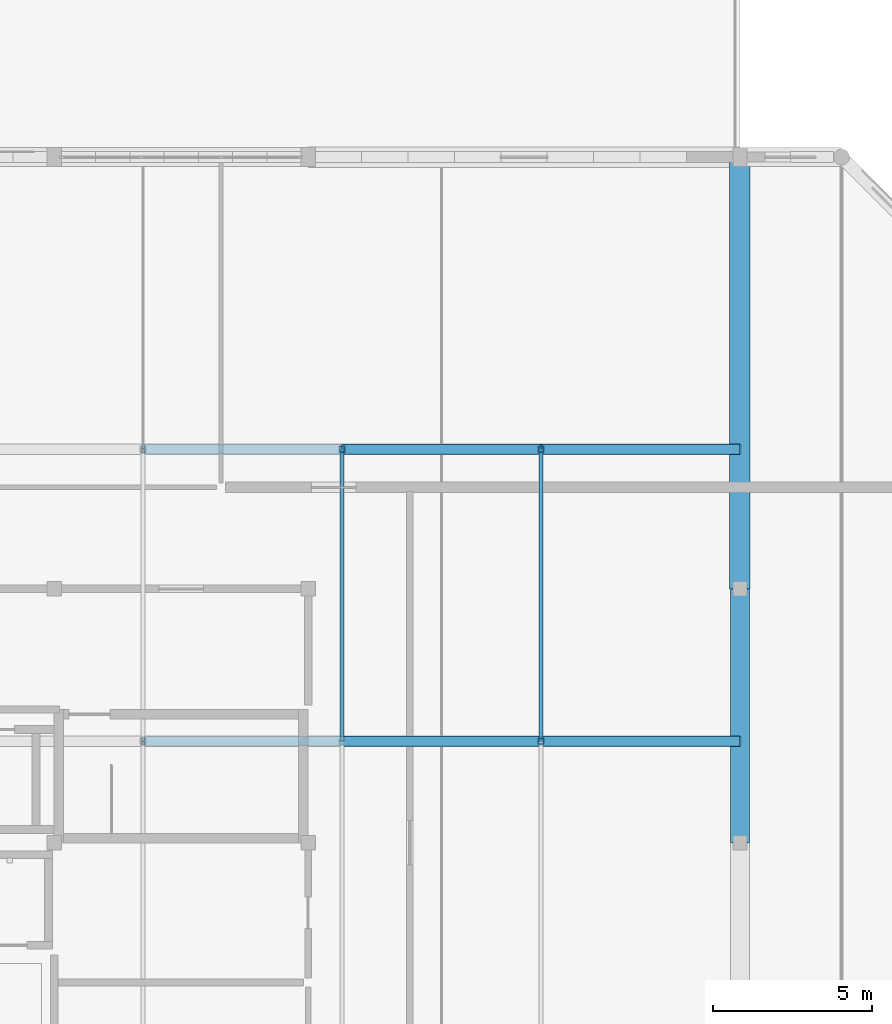
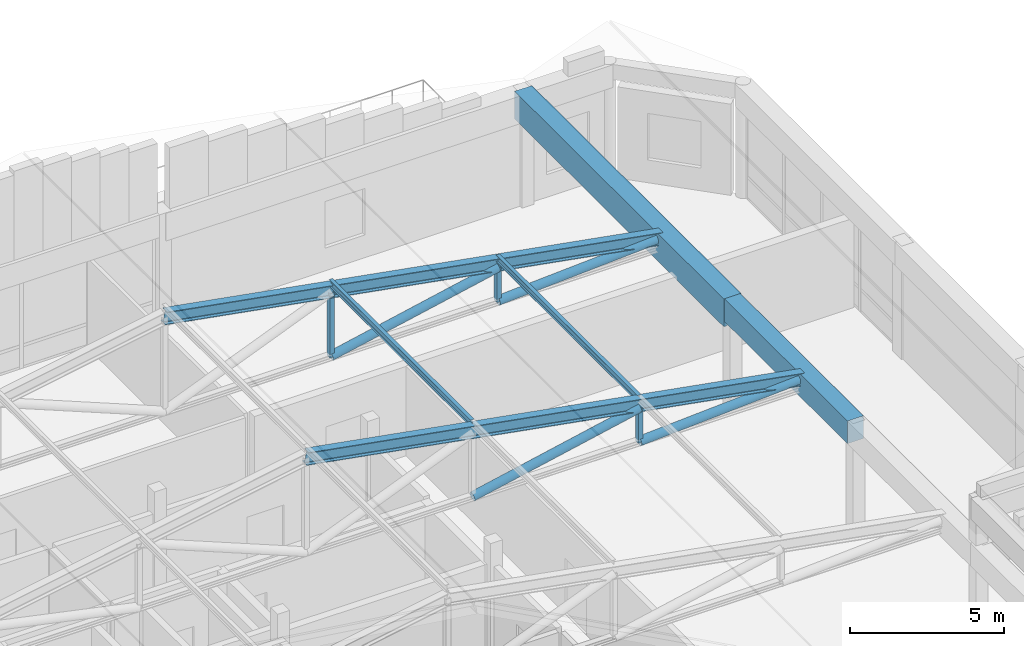
# One storey, part 14 of 24: 11 members, 2 beams.
"""IFC4 building model written with IfcOpenShell, lengths in metres."""

from ifc_helpers import new_model, si_unit, direction, frame, origin, origin_2d, place, context, subcontext, project, spatial, rectangle, hollow_rectangle, hollow_circle, i_section, extrude, material, material_profile, profile_set, type_object, element, save


model = new_model("IFC4")

# Units and contexts
model_context = context("Model", 3, precision=1e-05, world=origin(), true_north=direction((0.0, 1.0)))
body_context = subcontext(model_context, "Body", "Model", "MODEL_VIEW")
ifc_project = project(units=[si_unit("LENGTHUNIT", "METRE"), si_unit("AREAUNIT", "SQUARE_METRE"), si_unit("VOLUMEUNIT", "CUBIC_METRE"), si_unit("PLANEANGLEUNIT", "RADIAN"), si_unit("MASSUNIT", "GRAM", prefix="KILO")], contexts=[model_context])

# Site, building, storey
site_placement = place(None, origin())
site = spatial("IfcSite", under=ifc_project, at=site_placement, CompositionType="ELEMENT")
building_placement = place(site_placement, origin())
building = spatial("IfcBuilding", under=site, at=building_placement, Name="Vellmiral Cinema and Media Centre", CompositionType="ELEMENT")
storey_placement = place(building_placement, frame((0.0, 0.0, 66.60009765625)))
storey = spatial("IfcBuildingStorey", under=building, at=storey_placement, Name="L16", CompositionType="ELEMENT", Elevation=66.60009765625)

# Members
ifc_material_1 = material(Name="Steel S355", Category="steel")
ifc_material_profile_1 = material_profile(ifc_material_1, i_section(OverallWidth=0.135009765625, OverallDepth=0.27001953125, WebThickness=0.006591796875, FlangeThickness=0.01025390625, FilletRadius=0.014892578125, at=origin_2d()), Name="IPE 270")
ifc_profile_set_1 = profile_set([ifc_material_profile_1], Name="Steel S355")
member_type_1 = type_object("IfcMemberType", Name="PRL-IPE270", PredefinedType="PURLIN", material=ifc_profile_set_1)
for number, where, z_axis, x_axis, name in (
    (1, (149.066650390625, 90.39990234375, 6.76611328125), (0.0, 1.0, 0.0), (-1.0, 0.0, 0.0), "Roof Purlin VR-CROWN.4.2"),
    (2, (155.333251953125, 90.39990234375, 5.548095703125), (0.0, 1.0, 0.0), (-1.0, 0.0, 0.0), "Roof Purlin VR-CROWN.5.2"),
):
    element("IfcMember", number, at=place(storey_placement, frame(where, z_axis=z_axis, x_axis=x_axis)), inside=storey, type_object=member_type_1, Name=name, PredefinedType="PURLIN", context=body_context, shape_type="SweptSolid", body=[
        extrude(i_section(OverallWidth=0.135009765625, OverallDepth=0.27001953125, WebThickness=0.006591796875, FlangeThickness=0.01025390625, FilletRadius=0.014892578125, at=origin_2d()), origin(), (0.0, 0.0, 1.0), 9.2001953125),
    ])

# Beams
ifc_material_2 = material(Name="Concrete C40/50", Category="concrete")
ifc_material_profile_2 = material_profile(ifc_material_2, rectangle(XDim=0.60009765625, YDim=0.89990234375, at=origin_2d()), Name="RC 600x900")
ifc_profile_set_2 = profile_set([ifc_material_profile_2], Name="Concrete C40/50")
beam_type_1 = type_object("IfcBeamType", Name="RING-BM-600x900", PredefinedType="BEAM", material=ifc_profile_set_2)
beam_1_placement = place(storey_placement, frame((161.60009765625, 87.199951171875, 4.0498046875), z_axis=(0.0, 1.0, 0.0), x_axis=(-1.0, 0.0, 0.0)))
element("IfcBeam", 3, at=beam_1_placement, inside=storey, type_object=beam_type_1, Name="Tower Crown Catalan Barrel Vault Ring Beam 15", PredefinedType="BEAM", context=body_context, shape_type="SweptSolid", body=[
    extrude(rectangle(XDim=0.60009765625, YDim=0.89990234375, at=origin_2d()), origin(), (0.0, 0.0, 1.0), 8.0),
])
ifc_material_3 = material(Name="Concrete C40/50", Category="concrete")
ifc_material_profile_3 = material_profile(ifc_material_3, rectangle(XDim=0.64990234375, YDim=1.10009765625, at=origin_2d()), Name="RC 650x1100")
ifc_profile_set_3 = profile_set([ifc_material_profile_3], Name="Concrete C40/50")
beam_type_2 = type_object("IfcBeamType", Name="RING-BMG-650x1100", PredefinedType="BEAM", material=ifc_profile_set_3)
beam_2_placement = place(storey_placement, frame((161.60009765625, 95.199951171875, 3.949951171875), z_axis=(0.0, 1.0, 0.0), x_axis=(-1.0, 0.0, 0.0)))
element("IfcBeam", 4, at=beam_2_placement, inside=storey, type_object=beam_type_2, Name="Tower Crown Catalan Barrel Vault Ring Beam 16", PredefinedType="BEAM", context=body_context, shape_type="SweptSolid", body=[
    extrude(rectangle(XDim=0.64990234375, YDim=1.10009765625, at=origin_2d()), origin(), (0.0, 0.0, 1.0), 13.60009765625),
])

# Members
ifc_material_4 = material(Name="Steel S355", Category="steel")
ifc_material_profile_4 = material_profile(ifc_material_4, hollow_circle(Radius=0.161865234375, WallThickness=0.012451171875, at=origin_2d()), Name="CHS 323.9x12.5")
ifc_profile_set_4 = profile_set([ifc_material_profile_4], Name="Steel S355")
member_type_2 = type_object("IfcMemberType", Name="TBR-CHS324", PredefinedType="BRACE", material=ifc_profile_set_4)
member_1_placement = place(storey_placement, frame((149.066650390625, 90.39990234375, 3.849853515625), z_axis=(0.978270681797, 0.0, 0.207331794802), x_axis=(0.0, 1.0, 0.0)))
element("IfcMember", 5, at=member_1_placement, inside=storey, type_object=member_type_2, Name="Roof Truss TR-10.2 Diagonal 5", PredefinedType="BRACE", context=body_context, shape_type="SweptSolid", body=[
    extrude(hollow_circle(Radius=0.161865234375, WallThickness=0.012451171875, at=origin_2d()), origin(), (0.0, 0.0, 1.0), 6.40576171875),
])
member_2_placement = place(storey_placement, frame((155.333251953125, 90.39990234375, 3.849853515625), z_axis=(0.998214457689, 0.0, 0.059731871402), x_axis=(0.0, 1.0, 0.0)))
element("IfcMember", 6, at=member_2_placement, inside=storey, type_object=member_type_2, Name="Roof Truss TR-10.2 Diagonal 6", PredefinedType="BRACE", context=body_context, shape_type="SweptSolid", body=[
    extrude(hollow_circle(Radius=0.161865234375, WallThickness=0.012451171875, at=origin_2d()), origin(), (0.0, 0.0, 1.0), 6.278076171875),
])
member_3_placement = place(storey_placement, frame((149.066650390625, 99.60009765625, 3.849853515625), z_axis=(0.978270681797, 0.0, 0.207331794802), x_axis=(0.0, 1.0, 0.0)))
element("IfcMember", 7, at=member_3_placement, inside=storey, type_object=member_type_2, Name="Roof Truss TR-10.3 Diagonal 5", PredefinedType="BRACE", context=body_context, shape_type="SweptSolid", body=[
    extrude(hollow_circle(Radius=0.161865234375, WallThickness=0.012451171875, at=origin_2d()), origin(), (0.0, 0.0, 1.0), 6.40576171875),
])
member_4_placement = place(storey_placement, frame((155.333251953125, 99.60009765625, 3.849853515625), z_axis=(0.998214457689, 0.0, 0.059731871402), x_axis=(0.0, 1.0, 0.0)))
element("IfcMember", 8, at=member_4_placement, inside=storey, type_object=member_type_2, Name="Roof Truss TR-10.3 Diagonal 6", PredefinedType="BRACE", context=body_context, shape_type="SweptSolid", body=[
    extrude(hollow_circle(Radius=0.161865234375, WallThickness=0.012451171875, at=origin_2d()), origin(), (0.0, 0.0, 1.0), 6.278076171875),
])
ifc_material_5 = material(Name="Steel S355", Category="steel")
ifc_material_profile_5 = material_profile(ifc_material_5, hollow_rectangle(XDim=0.179931640625, YDim=0.179931640625, WallThickness=0.010009765625, at=origin_2d()), Name="SHS 180x180x10.0")
ifc_profile_set_5 = profile_set([ifc_material_profile_5], Name="Steel S355")
member_type_3 = type_object("IfcMemberType", Name="TBR-SHS180", PredefinedType="BRACE", material=ifc_profile_set_5)
member_5_placement = place(storey_placement, frame((155.333251953125, 90.39990234375, 3.849853515625), z_axis=(0.0, 0.0, 1.0), x_axis=(1.0, 0.0, 0.0)))
element("IfcMember", 9, at=member_5_placement, inside=storey, type_object=member_type_3, Name="Roof Truss TR-10.2 Post 5", PredefinedType="BRACE", context=body_context, shape_type="SweptSolid", body=[
    extrude(hollow_rectangle(XDim=0.179931640625, YDim=0.179931640625, WallThickness=0.010009765625, at=origin_2d()), origin(), (0.0, 0.0, 1.0), 1.328125),
])
member_6_placement = place(storey_placement, frame((149.066650390625, 99.60009765625, 3.849853515625), z_axis=(0.0, 0.0, 1.0), x_axis=(1.0, 0.0, 0.0)))
element("IfcMember", 10, at=member_6_placement, inside=storey, type_object=member_type_3, Name="Roof Truss TR-10.3 Post 4", PredefinedType="BRACE", context=body_context, shape_type="SweptSolid", body=[
    extrude(hollow_rectangle(XDim=0.179931640625, YDim=0.179931640625, WallThickness=0.010009765625, at=origin_2d()), origin(), (0.0, 0.0, 1.0), 2.546142578125),
])
member_7_placement = place(storey_placement, frame((155.333251953125, 99.60009765625, 3.849853515625), z_axis=(0.0, 0.0, 1.0), x_axis=(1.0, 0.0, 0.0)))
element("IfcMember", 11, at=member_7_placement, inside=storey, type_object=member_type_3, Name="Roof Truss TR-10.3 Post 5", PredefinedType="BRACE", context=body_context, shape_type="SweptSolid", body=[
    extrude(hollow_rectangle(XDim=0.179931640625, YDim=0.179931640625, WallThickness=0.010009765625, at=origin_2d()), origin(), (0.0, 0.0, 1.0), 1.328125),
])
ifc_material_6 = material(Name="Steel S355", Category="steel")
ifc_material_profile_6 = material_profile(ifc_material_6, i_section(OverallWidth=0.300048828125, OverallDepth=0.489990234375, WebThickness=0.011962890625, FlangeThickness=0.02294921875, FilletRadius=0.027099609375, at=origin_2d()), Name="HEA 500")
ifc_profile_set_6 = profile_set([ifc_material_profile_6], Name="Steel S355")
member_type_4 = type_object("IfcMemberType", Name="TCH-HEA500", PredefinedType="CHORD", material=ifc_profile_set_6)
for number, where, z_axis, x_axis, name in (
    (12, (142.800048828125, 90.39990234375, 7.6142578125), (0.984134042087, 0.0, -0.177426568486), (0.0, 1.0, 0.0), "Roof Truss TR-10.2 Top Chord E"),
    (13, (142.800048828125, 99.60009765625, 7.6142578125), (0.984134042087, 0.0, -0.177426568486), (0.0, 1.0, 0.0), "Roof Truss TR-10.3 Top Chord E"),
):
    element("IfcMember", number, at=place(storey_placement, frame(where, z_axis=z_axis, x_axis=x_axis)), inside=storey, type_object=member_type_4, Name=name, PredefinedType="CHORD", context=body_context, shape_type="SweptSolid", body=[
        extrude(i_section(OverallWidth=0.300048828125, OverallDepth=0.489990234375, WebThickness=0.011962890625, FlangeThickness=0.02294921875, FilletRadius=0.027099609375, at=origin_2d()), origin(), (0.0, 0.0, 1.0), 19.10302734375),
    ])

save(model, "model.ifc")
